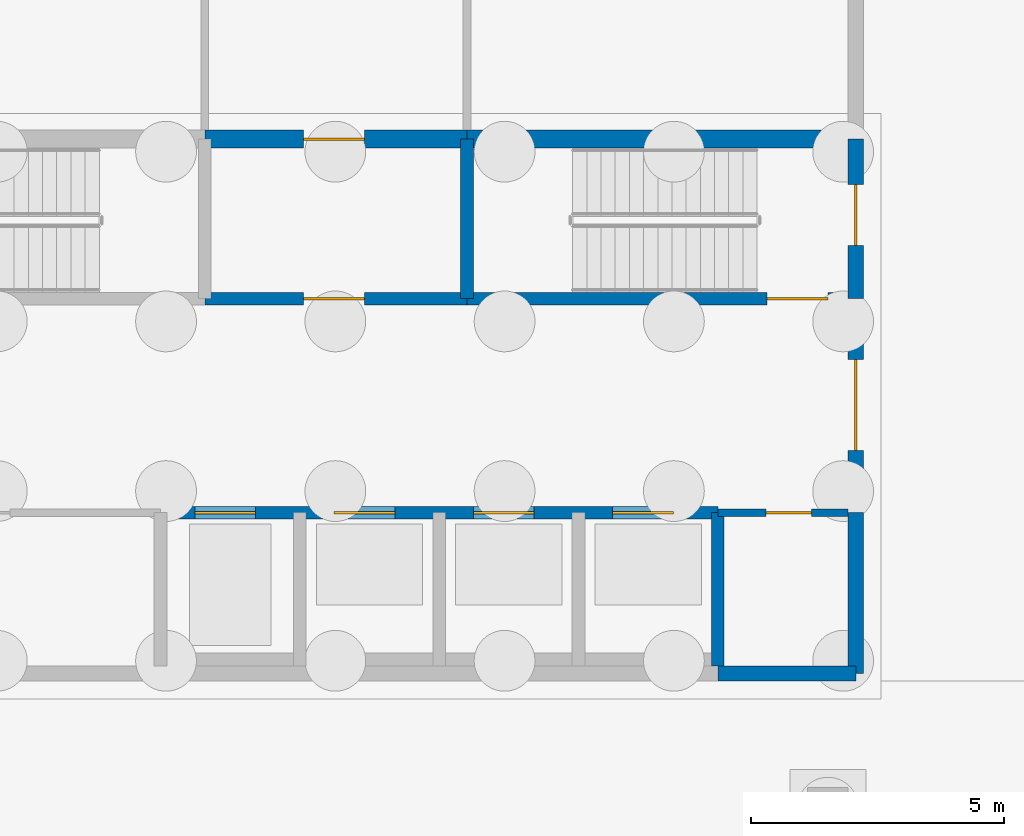
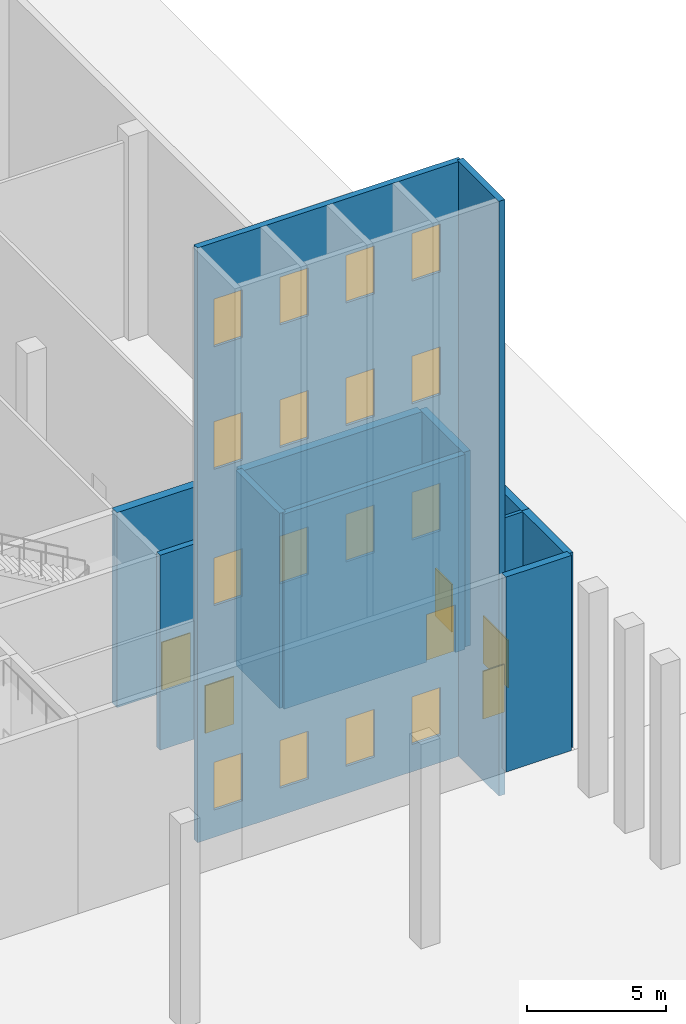
"""IFC4 building model written with IfcOpenShell, lengths in metres."""

from ifc_helpers import new_model, si_unit, direction, frame, frame_2d, origin, place, context, subcontext, project, spatial, rectangle, extrude, material, layer, layer_set, type_object, element, fill, save


model = new_model("IFC4")

# Units and contexts
model_context = context("Model", 3, precision=1e-05, world=origin(), true_north=direction((0.0, 1.0)))
body_context = subcontext(model_context, "Body", "Model", "MODEL_VIEW")
ifc_project = project(units=[si_unit("LENGTHUNIT", "METRE"), si_unit("AREAUNIT", "SQUARE_METRE"), si_unit("VOLUMEUNIT", "CUBIC_METRE"), si_unit("PLANEANGLEUNIT", "RADIAN"), si_unit("MASSUNIT", "GRAM", prefix="KILO")], contexts=[model_context])

# Site, building, storey
site_placement = place(None, origin())
site = spatial("IfcSite", under=ifc_project, at=site_placement, CompositionType="ELEMENT")
building_placement = place(site_placement, origin())
building = spatial("IfcBuilding", under=site, at=building_placement, Name="Jabali Bay Hotel Tower and Convention Centre", CompositionType="ELEMENT")
storey_1_placement = place(building_placement, origin())
storey_1 = spatial("IfcBuildingStorey", under=building, at=storey_1_placement, Name="L00", CompositionType="ELEMENT", Elevation=0.0)

# Wall, opening, door
ifc_material_1 = material(Name="Concrete C60", Category="concrete")
ifc_layer_1 = layer(ifc_material_1, 0.35009765625)
ifc_layer_set_1 = layer_set([ifc_layer_1], Name="Concrete C60")
wall_type_1 = type_object("IfcWallType", Name="CC Core Wall 350", PredefinedType="SHEAR", material=ifc_layer_set_1)
wall_1_placement = place(storey_1_placement, frame((238.39990234375, 60.0, 0.0), z_axis=(0.0, 0.0, 1.0), x_axis=(1.0, 0.0, 0.0)))
wall_1 = element("IfcWall", 1, at=wall_1_placement, inside=storey_1, type_object=wall_type_1, Name="CC east core wall", PredefinedType="SHEAR", context=body_context, shape_type="SweptSolid", body=[
    extrude(rectangle(XDim=5.175048828125, YDim=0.35009765625, at=frame_2d((2.58740234375, 0.0))), origin(), (0.0, 0.0, 1.0), 8.590087890625),
])
opening_1_placement = place(wall_1_placement, frame((1.949951171875, 0.0, 0.0)))
opening_1 = element("IfcOpeningElement", 2, at=opening_1_placement, cuts=wall_1, Name="Opening CC-D086", PredefinedType="OPENING", context=body_context, shape_type="SweptSolid", body=[
    extrude(rectangle(XDim=1.199951171875, YDim=2.10009765625, at=frame_2d((0.60009765625, 1.050048828125))), frame((0.0, 0.185546875, 0.0), z_axis=(0.0, -1.0, 0.0), x_axis=(1.0, 0.0, 0.0)), (0.0, 0.0, 1.0), 0.37109375),
])
ifc_material_2 = material(Name="Timber and steel door set", Category="steel")
door_type_1 = type_object("IfcDoorType", Name="CC Vestibule Door 1200x2100", OperationType="NOTDEFINED", PredefinedType="DOOR", material=ifc_material_2)
door_1_placement = place(opening_1_placement, origin())
door_1 = element("IfcDoor", 3, at=door_1_placement, inside=storey_1, type_object=door_type_1, Name="CC door CC-D086", OperationType="SINGLE_SWING_RIGHT", OverallHeight=2.10009765625, OverallWidth=1.199951171875, PredefinedType="DOOR", context=body_context, shape_type="SweptSolid", body=[
    extrude(rectangle(XDim=1.199951171875, YDim=2.10009765625, at=frame_2d((0.60009765625, 1.050048828125))), frame((0.0, 0.02490234375, 0.0), z_axis=(0.0, -1.0, 0.0), x_axis=(1.0, 0.0, 0.0)), (0.0, 0.0, 1.0), 0.050048828125),
])
fill(opening_1, door_1)

# Walls
wall_2_placement = place(storey_1_placement, frame((243.574951171875, 60.0, 0.0), z_axis=(0.0, 0.0, 1.0), x_axis=(1.0, 0.0, 0.0)))
element("IfcWall", 4, at=wall_2_placement, inside=storey_1, type_object=wall_type_1, Name="CC east core wall", PredefinedType="SHEAR", context=body_context, shape_type="SweptSolid", body=[
    extrude(rectangle(XDim=7.525146484375, YDim=0.35009765625, at=frame_2d((3.7626953125, 0.0))), origin(), (0.0, 0.0, 1.0), 8.590087890625),
])
ifc_material_3 = material(Name="Concrete C40", Category="concrete")
ifc_layer_2 = layer(ifc_material_3, 0.300048828125)
ifc_layer_set_2 = layer_set([ifc_layer_2], Name="Concrete C40")
wall_type_2 = type_object("IfcWallType", Name="CC External Wall 300", PredefinedType="SOLIDWALL", material=ifc_layer_set_2)
wall_3_placement = place(storey_1_placement, frame((248.52490234375, 49.449951171875, 0.0), z_axis=(0.0, 0.0, 1.0), x_axis=(1.0, 0.0, 0.0)))
element("IfcWall", 5, at=wall_3_placement, inside=storey_1, type_object=wall_type_2, Name="CC wall 222", PredefinedType="SOLIDWALL", context=body_context, shape_type="SweptSolid", body=[
    extrude(rectangle(XDim=2.72509765625, YDim=0.300048828125, at=frame_2d((1.362548828125, 0.0))), origin(), (0.0, 0.0, 1.0), 8.590087890625),
])
wall_4_placement = place(storey_1_placement, frame((251.25, 49.449951171875, 0.0), z_axis=(0.0, 0.0, 1.0), x_axis=(0.0, 1.0, 0.0)))
element("IfcWall", 6, at=wall_4_placement, inside=storey_1, type_object=wall_type_2, Name="CC wall 224", PredefinedType="SOLIDWALL", context=body_context, shape_type="SweptSolid", body=[
    extrude(rectangle(XDim=3.175048828125, YDim=0.300048828125, at=frame_2d((1.58740234375, 0.0))), origin(), (0.0, 0.0, 1.0), 8.590087890625),
])

# Wall, opening, door
wall_5_placement = place(storey_1_placement, frame((251.25, 56.85009765625, 0.0), z_axis=(0.0, 0.0, 1.0), x_axis=(0.0, -1.0, 0.0)))
wall_5 = element("IfcWall", 7, at=wall_5_placement, inside=storey_1, type_object=wall_type_2, Name="CC wall 266", PredefinedType="SOLIDWALL", context=body_context, shape_type="SweptSolid", body=[
    extrude(rectangle(XDim=4.22509765625, YDim=0.300048828125, at=frame_2d((2.112548828125, 0.0))), origin(), (0.0, 0.0, 1.0), 8.590087890625),
])
opening_2_placement = place(wall_5_placement, frame((1.199951171875, 0.0, 0.0)))
opening_2 = element("IfcOpeningElement", 8, at=opening_2_placement, cuts=wall_5, Name="Opening CC-D212", PredefinedType="OPENING", context=body_context, shape_type="SweptSolid", body=[
    extrude(rectangle(XDim=1.800048828125, YDim=2.10009765625, at=frame_2d((0.89990234375, 1.050048828125))), frame((0.0, 0.16064453125, 0.0), z_axis=(0.0, -1.0, 0.0), x_axis=(1.0, 0.0, 0.0)), (0.0, 0.0, 1.0), 0.321044921875),
])
door_type_2 = type_object("IfcDoorType", Name="CC Exit Double Door 1800x2100", OperationType="NOTDEFINED", PredefinedType="DOOR", material=ifc_material_2)
door_2_placement = place(opening_2_placement, origin())
door_2 = element("IfcDoor", 9, at=door_2_placement, inside=storey_1, type_object=door_type_2, Name="CC door CC-D212", OperationType="DOUBLE_DOOR_SINGLE_SWING", OverallHeight=2.10009765625, OverallWidth=1.800048828125, PredefinedType="DOOR", context=body_context, shape_type="SweptSolid", body=[
    extrude(rectangle(XDim=1.800048828125, YDim=2.10009765625, at=frame_2d((0.89990234375, 1.050048828125))), frame((0.0, 0.02490234375, 0.0), z_axis=(0.0, -1.0, 0.0), x_axis=(1.0, 0.0, 0.0)), (0.0, 0.0, 1.0), 0.050048828125),
])
fill(opening_2, door_2)

wall_6_placement = place(storey_1_placement, frame((251.25, 60.0, 0.0), z_axis=(0.0, 0.0, 1.0), x_axis=(0.0, -1.0, 0.0)))
wall_6 = element("IfcWall", 10, at=wall_6_placement, inside=storey_1, type_object=wall_type_2, Name="CC wall 267", PredefinedType="SOLIDWALL", context=body_context, shape_type="SweptSolid", body=[
    extrude(rectangle(XDim=3.14990234375, YDim=0.300048828125, at=frame_2d((1.574951171875, 0.0))), origin(), (0.0, 0.0, 1.0), 8.590087890625),
])
opening_3_placement = place(wall_6_placement, frame((0.89990234375, 0.0, 0.0)))
opening_3 = element("IfcOpeningElement", 11, at=opening_3_placement, cuts=wall_6, Name="Opening CC-D211", PredefinedType="OPENING", context=body_context, shape_type="SweptSolid", body=[
    extrude(rectangle(XDim=1.199951171875, YDim=2.10009765625, at=frame_2d((0.60009765625, 1.050048828125))), frame((0.0, 0.16064453125, 0.0), z_axis=(0.0, -1.0, 0.0), x_axis=(1.0, 0.0, 0.0)), (0.0, 0.0, 1.0), 0.321044921875),
])
door_type_3 = type_object("IfcDoorType", Name="CC Stair Door 1200x2100", OperationType="NOTDEFINED", PredefinedType="DOOR", material=ifc_material_2)
door_3_placement = place(opening_3_placement, origin())
door_3 = element("IfcDoor", 12, at=door_3_placement, inside=storey_1, type_object=door_type_3, Name="CC door CC-D211", OperationType="SINGLE_SWING_LEFT", OverallHeight=2.10009765625, OverallWidth=1.199951171875, PredefinedType="DOOR", context=body_context, shape_type="SweptSolid", body=[
    extrude(rectangle(XDim=1.199951171875, YDim=2.10009765625, at=frame_2d((0.60009765625, 1.050048828125))), frame((0.0, 0.02490234375, 0.0), z_axis=(0.0, -1.0, 0.0), x_axis=(1.0, 0.0, 0.0)), (0.0, 0.0, 1.0), 0.050048828125),
])
fill(opening_3, door_3)

ifc_material_4 = material(Name="Blockwork M10", Category="masonry")
ifc_layer_3 = layer(ifc_material_4, 0.14990234375)
ifc_layer_set_3 = layer_set([ifc_layer_3], Name="Blockwork M10")
wall_type_3 = type_object("IfcWallType", Name="CC Partition 150", PredefinedType="PARTITIONING", material=ifc_layer_set_3)
wall_7_placement = place(storey_1_placement, frame((251.10009765625, 52.625, 0.0), z_axis=(0.0, 0.0, 1.0), x_axis=(-1.0, 0.0, 0.0)))
wall_7 = element("IfcWall", 13, at=wall_7_placement, inside=storey_1, type_object=wall_type_3, Name="CC wall 223", PredefinedType="PARTITIONING", context=body_context, shape_type="SweptSolid", body=[
    extrude(rectangle(XDim=2.5751953125, YDim=0.14990234375, at=frame_2d((1.28759765625, 0.0))), origin(), (0.0, 0.0, 1.0), 8.590087890625),
])
opening_4_placement = place(wall_7_placement, frame((0.72509765625, 0.0, 0.0)))
opening_4 = element("IfcOpeningElement", 14, at=opening_4_placement, cuts=wall_7, Name="Opening CC-D182", PredefinedType="OPENING", context=body_context, shape_type="SweptSolid", body=[
    extrude(rectangle(XDim=0.89990234375, YDim=2.10009765625, at=frame_2d((0.449951171875, 1.050048828125))), frame((0.0, 0.08544921875, 0.0), z_axis=(0.0, -1.0, 0.0), x_axis=(1.0, 0.0, 0.0)), (0.0, 0.0, 1.0), 0.1708984375),
])
door_type_4 = type_object("IfcDoorType", Name="CC Riser Door 900x2100", OperationType="NOTDEFINED", PredefinedType="DOOR", material=ifc_material_2)
door_4_placement = place(opening_4_placement, origin())
door_4 = element("IfcDoor", 15, at=door_4_placement, inside=storey_1, type_object=door_type_4, Name="CC door CC-D182", OperationType="SINGLE_SWING_RIGHT", OverallHeight=2.10009765625, OverallWidth=0.89990234375, PredefinedType="DOOR", context=body_context, shape_type="SweptSolid", body=[
    extrude(rectangle(XDim=0.89990234375, YDim=2.10009765625, at=frame_2d((0.449951171875, 1.050048828125))), frame((0.0, 0.02490234375, 0.0), z_axis=(0.0, -1.0, 0.0), x_axis=(1.0, 0.0, 0.0)), (0.0, 0.0, 1.0), 0.050048828125),
])
fill(opening_4, door_4)

ifc_layer_4 = layer(ifc_material_3, 0.25)
ifc_layer_set_4 = layer_set([ifc_layer_4], Name="Concrete C40")
wall_type_4 = type_object("IfcWallType", Name="CC Shaft Wall 250", PredefinedType="SHEAR", material=ifc_layer_set_4)
wall_8_placement = place(storey_1_placement, frame((243.574951171875, 56.85009765625, 0.0), z_axis=(0.0, 0.0, 1.0), x_axis=(-1.0, 0.0, 0.0)))
wall_8 = element("IfcWall", 16, at=wall_8_placement, inside=storey_1, type_object=wall_type_4, Name="CC east core wall", PredefinedType="SHEAR", context=body_context, shape_type="SweptSolid", body=[
    extrude(rectangle(XDim=5.175048828125, YDim=0.25, at=frame_2d((2.58740234375, 0.0))), origin(), (0.0, 0.0, 1.0), 8.590087890625),
])
opening_5_placement = place(wall_8_placement, frame((2.02490234375, 0.0, 0.0)))
opening_5 = element("IfcOpeningElement", 17, at=opening_5_placement, cuts=wall_8, Name="Opening CC-D177", PredefinedType="OPENING", context=body_context, shape_type="SweptSolid", body=[
    extrude(rectangle(XDim=1.199951171875, YDim=2.10009765625, at=frame_2d((0.60009765625, 1.050048828125))), frame((0.0, 0.135498046875, 0.0), z_axis=(0.0, -1.0, 0.0), x_axis=(1.0, 0.0, 0.0)), (0.0, 0.0, 1.0), 0.27099609375),
])
door_5_placement = place(opening_5_placement, origin())
door_5 = element("IfcDoor", 18, at=door_5_placement, inside=storey_1, type_object=door_type_1, Name="CC door CC-D177", OperationType="SINGLE_SWING_LEFT", OverallHeight=2.10009765625, OverallWidth=1.199951171875, PredefinedType="DOOR", context=body_context, shape_type="SweptSolid", body=[
    extrude(rectangle(XDim=1.199951171875, YDim=2.10009765625, at=frame_2d((0.60009765625, 1.050048828125))), frame((0.0, 0.02490234375, 0.0), z_axis=(0.0, -1.0, 0.0), x_axis=(1.0, 0.0, 0.0)), (0.0, 0.0, 1.0), 0.050048828125),
])
fill(opening_5, door_5)

wall_9_placement = place(storey_1_placement, frame((251.10009765625, 56.85009765625, 0.0), z_axis=(0.0, 0.0, 1.0), x_axis=(-1.0, 0.0, 0.0)))
wall_9 = element("IfcWall", 19, at=wall_9_placement, inside=storey_1, type_object=wall_type_4, Name="CC east core wall", PredefinedType="SHEAR", context=body_context, shape_type="SweptSolid", body=[
    extrude(rectangle(XDim=7.525146484375, YDim=0.25, at=frame_2d((3.7626953125, 0.0))), origin(), (0.0, 0.0, 1.0), 8.590087890625),
])
opening_6_placement = place(wall_9_placement, frame((0.39990234375, 0.0, 0.0)))
opening_6 = element("IfcOpeningElement", 20, at=opening_6_placement, cuts=wall_9, Name="Opening CC-D175", PredefinedType="OPENING", context=body_context, shape_type="SweptSolid", body=[
    extrude(rectangle(XDim=1.199951171875, YDim=2.10009765625, at=frame_2d((0.60009765625, 1.050048828125))), frame((0.0, 0.135498046875, 0.0), z_axis=(0.0, -1.0, 0.0), x_axis=(1.0, 0.0, 0.0)), (0.0, 0.0, 1.0), 0.27099609375),
])
door_6_placement = place(opening_6_placement, origin())
door_6 = element("IfcDoor", 21, at=door_6_placement, inside=storey_1, type_object=door_type_3, Name="CC door CC-D175", OperationType="SINGLE_SWING_LEFT", OverallHeight=2.10009765625, OverallWidth=1.199951171875, PredefinedType="DOOR", context=body_context, shape_type="SweptSolid", body=[
    extrude(rectangle(XDim=1.199951171875, YDim=2.10009765625, at=frame_2d((0.60009765625, 1.050048828125))), frame((0.0, 0.02490234375, 0.0), z_axis=(0.0, -1.0, 0.0), x_axis=(1.0, 0.0, 0.0)), (0.0, 0.0, 1.0), 0.050048828125),
])
fill(opening_6, door_6)

# Walls
wall_10_placement = place(storey_1_placement, frame((243.574951171875, 56.85009765625, 0.0), z_axis=(0.0, 0.0, 1.0), x_axis=(0.0, 1.0, 0.0)))
element("IfcWall", 22, at=wall_10_placement, inside=storey_1, type_object=wall_type_4, Name="CC east core wall", PredefinedType="SHEAR", context=body_context, shape_type="SweptSolid", body=[
    extrude(rectangle(XDim=3.14990234375, YDim=0.25, at=frame_2d((1.574951171875, 0.0))), origin(), (0.0, 0.0, 1.0), 8.590087890625),
])
wall_11_placement = place(storey_1_placement, frame((248.52490234375, 49.60009765625, -1.199951171875), z_axis=(0.0, 0.0, 1.0), x_axis=(0.0, 1.0, 0.0)))
element("IfcWall", 23, at=wall_11_placement, inside=storey_1, type_object=wall_type_4, Name="CC east lift shaft wall", PredefinedType="SHEAR", context=body_context, shape_type="SweptSolid", body=[
    extrude(rectangle(XDim=3.02490234375, YDim=0.25, at=frame_2d((1.512451171875, 0.0))), origin(), (0.0, 0.0, 1.0), 26.18994140625),
])

# Wall, openings, doors
wall_12_placement = place(storey_1_placement, frame((237.52490234375, 52.625, -1.199951171875), z_axis=(0.0, 0.0, 1.0), x_axis=(1.0, 0.0, 0.0)))
wall_12 = element("IfcWall", 24, at=wall_12_placement, inside=storey_1, type_object=wall_type_4, Name="CC east lift shaft wall", PredefinedType="SHEAR", context=body_context, shape_type="SweptSolid", body=[
    extrude(rectangle(XDim=11.0, YDim=0.25, at=frame_2d((5.5, 0.0))), origin(), (0.0, 0.0, 1.0), 26.18994140625),
])
opening_7_placement = place(wall_12_placement, frame((8.925048828125, 0.0, 1.199951171875)))
opening_7 = element("IfcOpeningElement", 25, at=opening_7_placement, cuts=wall_12, Name="Opening CC-LD178", PredefinedType="OPENING", context=body_context, shape_type="SweptSolid", body=[
    extrude(rectangle(XDim=1.199951171875, YDim=2.10009765625, at=frame_2d((0.60009765625, 1.050048828125))), frame((0.0, 0.135498046875, 0.0), z_axis=(0.0, -1.0, 0.0), x_axis=(1.0, 0.0, 0.0)), (0.0, 0.0, 1.0), 0.27099609375),
])
opening_8_placement = place(wall_12_placement, frame((6.175048828125, 0.0, 1.199951171875)))
opening_8 = element("IfcOpeningElement", 26, at=opening_8_placement, cuts=wall_12, Name="Opening CC-LD179", PredefinedType="OPENING", context=body_context, shape_type="SweptSolid", body=[
    extrude(rectangle(XDim=1.199951171875, YDim=2.10009765625, at=frame_2d((0.60009765625, 1.050048828125))), frame((0.0, 0.135498046875, 0.0), z_axis=(0.0, -1.0, 0.0), x_axis=(1.0, 0.0, 0.0)), (0.0, 0.0, 1.0), 0.27099609375),
])
opening_9_placement = place(wall_12_placement, frame((3.425048828125, 0.0, 1.199951171875)))
opening_9 = element("IfcOpeningElement", 27, at=opening_9_placement, cuts=wall_12, Name="Opening CC-LD180", PredefinedType="OPENING", context=body_context, shape_type="SweptSolid", body=[
    extrude(rectangle(XDim=1.199951171875, YDim=2.10009765625, at=frame_2d((0.60009765625, 1.050048828125))), frame((0.0, 0.135498046875, 0.0), z_axis=(0.0, -1.0, 0.0), x_axis=(1.0, 0.0, 0.0)), (0.0, 0.0, 1.0), 0.27099609375),
])
opening_10_placement = place(wall_12_placement, frame((0.675048828125, 0.0, 1.199951171875)))
opening_10 = element("IfcOpeningElement", 28, at=opening_10_placement, cuts=wall_12, Name="Opening CC-LD181", PredefinedType="OPENING", context=body_context, shape_type="SweptSolid", body=[
    extrude(rectangle(XDim=1.199951171875, YDim=2.10009765625, at=frame_2d((0.60009765625, 1.050048828125))), frame((0.0, 0.135498046875, 0.0), z_axis=(0.0, -1.0, 0.0), x_axis=(1.0, 0.0, 0.0)), (0.0, 0.0, 1.0), 0.27099609375),
])
opening_11_placement = place(wall_12_placement, frame((8.925048828125, 0.0, 10.199951171875)))
opening_11 = element("IfcOpeningElement", 29, at=opening_11_placement, cuts=wall_12, Name="Opening CC-LD187", PredefinedType="OPENING", context=body_context, shape_type="SweptSolid", body=[
    extrude(rectangle(XDim=1.199951171875, YDim=2.10009765625, at=frame_2d((0.60009765625, 1.050048828125))), frame((0.0, 0.135498046875, 0.0), z_axis=(0.0, -1.0, 0.0), x_axis=(1.0, 0.0, 0.0)), (0.0, 0.0, 1.0), 0.27099609375),
])
opening_12_placement = place(wall_12_placement, frame((6.175048828125, 0.0, 10.199951171875)))
opening_12 = element("IfcOpeningElement", 30, at=opening_12_placement, cuts=wall_12, Name="Opening CC-LD188", PredefinedType="OPENING", context=body_context, shape_type="SweptSolid", body=[
    extrude(rectangle(XDim=1.199951171875, YDim=2.10009765625, at=frame_2d((0.60009765625, 1.050048828125))), frame((0.0, 0.135498046875, 0.0), z_axis=(0.0, -1.0, 0.0), x_axis=(1.0, 0.0, 0.0)), (0.0, 0.0, 1.0), 0.27099609375),
])
opening_13_placement = place(wall_12_placement, frame((3.425048828125, 0.0, 10.199951171875)))
opening_13 = element("IfcOpeningElement", 31, at=opening_13_placement, cuts=wall_12, Name="Opening CC-LD189", PredefinedType="OPENING", context=body_context, shape_type="SweptSolid", body=[
    extrude(rectangle(XDim=1.199951171875, YDim=2.10009765625, at=frame_2d((0.60009765625, 1.050048828125))), frame((0.0, 0.135498046875, 0.0), z_axis=(0.0, -1.0, 0.0), x_axis=(1.0, 0.0, 0.0)), (0.0, 0.0, 1.0), 0.27099609375),
])
opening_14_placement = place(wall_12_placement, frame((0.675048828125, 0.0, 10.199951171875)))
opening_14 = element("IfcOpeningElement", 32, at=opening_14_placement, cuts=wall_12, Name="Opening CC-LD190", PredefinedType="OPENING", context=body_context, shape_type="SweptSolid", body=[
    extrude(rectangle(XDim=1.199951171875, YDim=2.10009765625, at=frame_2d((0.60009765625, 1.050048828125))), frame((0.0, 0.135498046875, 0.0), z_axis=(0.0, -1.0, 0.0), x_axis=(1.0, 0.0, 0.0)), (0.0, 0.0, 1.0), 0.27099609375),
])
opening_15_placement = place(wall_12_placement, frame((8.925048828125, 0.0, 16.199951171875)))
opening_15 = element("IfcOpeningElement", 33, at=opening_15_placement, cuts=wall_12, Name="Opening CC-LD196", PredefinedType="OPENING", context=body_context, shape_type="SweptSolid", body=[
    extrude(rectangle(XDim=1.199951171875, YDim=2.10009765625, at=frame_2d((0.60009765625, 1.050048828125))), frame((0.0, 0.135498046875, 0.0), z_axis=(0.0, -1.0, 0.0), x_axis=(1.0, 0.0, 0.0)), (0.0, 0.0, 1.0), 0.27099609375),
])
opening_16_placement = place(wall_12_placement, frame((6.175048828125, 0.0, 16.199951171875)))
opening_16 = element("IfcOpeningElement", 34, at=opening_16_placement, cuts=wall_12, Name="Opening CC-LD197", PredefinedType="OPENING", context=body_context, shape_type="SweptSolid", body=[
    extrude(rectangle(XDim=1.199951171875, YDim=2.10009765625, at=frame_2d((0.60009765625, 1.050048828125))), frame((0.0, 0.135498046875, 0.0), z_axis=(0.0, -1.0, 0.0), x_axis=(1.0, 0.0, 0.0)), (0.0, 0.0, 1.0), 0.27099609375),
])
opening_17_placement = place(wall_12_placement, frame((3.425048828125, 0.0, 16.199951171875)))
opening_17 = element("IfcOpeningElement", 35, at=opening_17_placement, cuts=wall_12, Name="Opening CC-LD198", PredefinedType="OPENING", context=body_context, shape_type="SweptSolid", body=[
    extrude(rectangle(XDim=1.199951171875, YDim=2.10009765625, at=frame_2d((0.60009765625, 1.050048828125))), frame((0.0, 0.135498046875, 0.0), z_axis=(0.0, -1.0, 0.0), x_axis=(1.0, 0.0, 0.0)), (0.0, 0.0, 1.0), 0.27099609375),
])
opening_18_placement = place(wall_12_placement, frame((0.675048828125, 0.0, 16.199951171875)))
opening_18 = element("IfcOpeningElement", 36, at=opening_18_placement, cuts=wall_12, Name="Opening CC-LD199", PredefinedType="OPENING", context=body_context, shape_type="SweptSolid", body=[
    extrude(rectangle(XDim=1.199951171875, YDim=2.10009765625, at=frame_2d((0.60009765625, 1.050048828125))), frame((0.0, 0.135498046875, 0.0), z_axis=(0.0, -1.0, 0.0), x_axis=(1.0, 0.0, 0.0)), (0.0, 0.0, 1.0), 0.27099609375),
])
opening_19_placement = place(wall_12_placement, frame((8.925048828125, 0.0, 21.60009765625)))
opening_19 = element("IfcOpeningElement", 37, at=opening_19_placement, cuts=wall_12, Name="Opening CC-LD205", PredefinedType="OPENING", context=body_context, shape_type="SweptSolid", body=[
    extrude(rectangle(XDim=1.199951171875, YDim=2.10009765625, at=frame_2d((0.60009765625, 1.050048828125))), frame((0.0, 0.135498046875, 0.0), z_axis=(0.0, -1.0, 0.0), x_axis=(1.0, 0.0, 0.0)), (0.0, 0.0, 1.0), 0.27099609375),
])
opening_20_placement = place(wall_12_placement, frame((6.175048828125, 0.0, 21.60009765625)))
opening_20 = element("IfcOpeningElement", 38, at=opening_20_placement, cuts=wall_12, Name="Opening CC-LD206", PredefinedType="OPENING", context=body_context, shape_type="SweptSolid", body=[
    extrude(rectangle(XDim=1.199951171875, YDim=2.10009765625, at=frame_2d((0.60009765625, 1.050048828125))), frame((0.0, 0.135498046875, 0.0), z_axis=(0.0, -1.0, 0.0), x_axis=(1.0, 0.0, 0.0)), (0.0, 0.0, 1.0), 0.27099609375),
])
opening_21_placement = place(wall_12_placement, frame((3.425048828125, 0.0, 21.60009765625)))
opening_21 = element("IfcOpeningElement", 39, at=opening_21_placement, cuts=wall_12, Name="Opening CC-LD207", PredefinedType="OPENING", context=body_context, shape_type="SweptSolid", body=[
    extrude(rectangle(XDim=1.199951171875, YDim=2.10009765625, at=frame_2d((0.60009765625, 1.050048828125))), frame((0.0, 0.135498046875, 0.0), z_axis=(0.0, -1.0, 0.0), x_axis=(1.0, 0.0, 0.0)), (0.0, 0.0, 1.0), 0.27099609375),
])
opening_22_placement = place(wall_12_placement, frame((0.675048828125, 0.0, 21.60009765625)))
opening_22 = element("IfcOpeningElement", 40, at=opening_22_placement, cuts=wall_12, Name="Opening CC-LD208", PredefinedType="OPENING", context=body_context, shape_type="SweptSolid", body=[
    extrude(rectangle(XDim=1.199951171875, YDim=2.10009765625, at=frame_2d((0.60009765625, 1.050048828125))), frame((0.0, 0.135498046875, 0.0), z_axis=(0.0, -1.0, 0.0), x_axis=(1.0, 0.0, 0.0)), (0.0, 0.0, 1.0), 0.27099609375),
])
ifc_material_5 = material(Name="Stainless steel door set", Category="steel")
door_type_5 = type_object("IfcDoorType", Name="CC Lift Landing Door 1200x2100", OperationType="SLIDING_TO_LEFT", PredefinedType="DOOR", material=ifc_material_5)
door_7_placement = place(opening_7_placement, origin())
door_7 = element("IfcDoor", 41, at=door_7_placement, inside=storey_1, type_object=door_type_5, Name="CC lift landing door CC-LD178", OperationType="SLIDING_TO_RIGHT", OverallHeight=2.10009765625, OverallWidth=1.199951171875, PredefinedType="DOOR", context=body_context, shape_type="SweptSolid", body=[
    extrude(rectangle(XDim=1.199951171875, YDim=2.10009765625, at=frame_2d((0.60009765625, 1.050048828125))), frame((0.0, 0.02490234375, 0.0), z_axis=(0.0, -1.0, 0.0), x_axis=(1.0, 0.0, 0.0)), (0.0, 0.0, 1.0), 0.050048828125),
])
fill(opening_7, door_7)
door_8_placement = place(opening_8_placement, origin())
door_8 = element("IfcDoor", 42, at=door_8_placement, inside=storey_1, type_object=door_type_5, Name="CC lift landing door CC-LD179", OperationType="SLIDING_TO_LEFT", OverallHeight=2.10009765625, OverallWidth=1.199951171875, PredefinedType="DOOR", context=body_context, shape_type="SweptSolid", body=[
    extrude(rectangle(XDim=1.199951171875, YDim=2.10009765625, at=frame_2d((0.60009765625, 1.050048828125))), frame((0.0, 0.02490234375, 0.0), z_axis=(0.0, -1.0, 0.0), x_axis=(1.0, 0.0, 0.0)), (0.0, 0.0, 1.0), 0.050048828125),
])
fill(opening_8, door_8)
door_9_placement = place(opening_9_placement, origin())
door_9 = element("IfcDoor", 43, at=door_9_placement, inside=storey_1, type_object=door_type_5, Name="CC lift landing door CC-LD180", OperationType="SLIDING_TO_RIGHT", OverallHeight=2.10009765625, OverallWidth=1.199951171875, PredefinedType="DOOR", context=body_context, shape_type="SweptSolid", body=[
    extrude(rectangle(XDim=1.199951171875, YDim=2.10009765625, at=frame_2d((0.60009765625, 1.050048828125))), frame((0.0, 0.02490234375, 0.0), z_axis=(0.0, -1.0, 0.0), x_axis=(1.0, 0.0, 0.0)), (0.0, 0.0, 1.0), 0.050048828125),
])
fill(opening_9, door_9)
door_10_placement = place(opening_10_placement, origin())
door_10 = element("IfcDoor", 44, at=door_10_placement, inside=storey_1, type_object=door_type_5, Name="CC lift landing door CC-LD181", OperationType="SLIDING_TO_LEFT", OverallHeight=2.10009765625, OverallWidth=1.199951171875, PredefinedType="DOOR", context=body_context, shape_type="SweptSolid", body=[
    extrude(rectangle(XDim=1.199951171875, YDim=2.10009765625, at=frame_2d((0.60009765625, 1.050048828125))), frame((0.0, 0.02490234375, 0.0), z_axis=(0.0, -1.0, 0.0), x_axis=(1.0, 0.0, 0.0)), (0.0, 0.0, 1.0), 0.050048828125),
])
fill(opening_10, door_10)

# Storey
storey_2_placement = place(building_placement, frame((0.0, 0.0, 9.0)))
storey_2 = spatial("IfcBuildingStorey", under=building, at=storey_2_placement, Name="L01", CompositionType="ELEMENT", Elevation=9.0)

# Door
door_11_placement = place(opening_11_placement, origin())
door_11 = element("IfcDoor", 45, at=door_11_placement, inside=storey_2, type_object=door_type_5, Name="CC lift landing door CC-LD187", OperationType="SLIDING_TO_LEFT", OverallHeight=2.10009765625, OverallWidth=1.199951171875, PredefinedType="DOOR", context=body_context, shape_type="SweptSolid", body=[
    extrude(rectangle(XDim=1.199951171875, YDim=2.10009765625, at=frame_2d((0.60009765625, 1.050048828125))), frame((0.0, 0.02490234375, 0.0), z_axis=(0.0, -1.0, 0.0), x_axis=(1.0, 0.0, 0.0)), (0.0, 0.0, 1.0), 0.050048828125),
])

fill(opening_11, door_11)

door_12_placement = place(opening_12_placement, origin())
door_12 = element("IfcDoor", 46, at=door_12_placement, inside=storey_2, type_object=door_type_5, Name="CC lift landing door CC-LD188", OperationType="SLIDING_TO_RIGHT", OverallHeight=2.10009765625, OverallWidth=1.199951171875, PredefinedType="DOOR", context=body_context, shape_type="SweptSolid", body=[
    extrude(rectangle(XDim=1.199951171875, YDim=2.10009765625, at=frame_2d((0.60009765625, 1.050048828125))), frame((0.0, 0.02490234375, 0.0), z_axis=(0.0, -1.0, 0.0), x_axis=(1.0, 0.0, 0.0)), (0.0, 0.0, 1.0), 0.050048828125),
])

fill(opening_12, door_12)

door_13_placement = place(opening_13_placement, origin())
door_13 = element("IfcDoor", 47, at=door_13_placement, inside=storey_2, type_object=door_type_5, Name="CC lift landing door CC-LD189", OperationType="SLIDING_TO_LEFT", OverallHeight=2.10009765625, OverallWidth=1.199951171875, PredefinedType="DOOR", context=body_context, shape_type="SweptSolid", body=[
    extrude(rectangle(XDim=1.199951171875, YDim=2.10009765625, at=frame_2d((0.60009765625, 1.050048828125))), frame((0.0, 0.02490234375, 0.0), z_axis=(0.0, -1.0, 0.0), x_axis=(1.0, 0.0, 0.0)), (0.0, 0.0, 1.0), 0.050048828125),
])

fill(opening_13, door_13)

door_14_placement = place(opening_14_placement, origin())
door_14 = element("IfcDoor", 48, at=door_14_placement, inside=storey_2, type_object=door_type_5, Name="CC lift landing door CC-LD190", OperationType="SLIDING_TO_RIGHT", OverallHeight=2.10009765625, OverallWidth=1.199951171875, PredefinedType="DOOR", context=body_context, shape_type="SweptSolid", body=[
    extrude(rectangle(XDim=1.199951171875, YDim=2.10009765625, at=frame_2d((0.60009765625, 1.050048828125))), frame((0.0, 0.02490234375, 0.0), z_axis=(0.0, -1.0, 0.0), x_axis=(1.0, 0.0, 0.0)), (0.0, 0.0, 1.0), 0.050048828125),
])

fill(opening_14, door_14)

# Storey
storey_3_placement = place(building_placement, frame((0.0, 0.0, 15.0)))
storey_3 = spatial("IfcBuildingStorey", under=building, at=storey_3_placement, Name="L02", CompositionType="ELEMENT", Elevation=15.0)

# Door
door_15_placement = place(opening_15_placement, origin())
door_15 = element("IfcDoor", 49, at=door_15_placement, inside=storey_3, type_object=door_type_5, Name="CC lift landing door CC-LD196", OperationType="SLIDING_TO_RIGHT", OverallHeight=2.10009765625, OverallWidth=1.199951171875, PredefinedType="DOOR", context=body_context, shape_type="SweptSolid", body=[
    extrude(rectangle(XDim=1.199951171875, YDim=2.10009765625, at=frame_2d((0.60009765625, 1.050048828125))), frame((0.0, 0.02490234375, 0.0), z_axis=(0.0, -1.0, 0.0), x_axis=(1.0, 0.0, 0.0)), (0.0, 0.0, 1.0), 0.050048828125),
])

fill(opening_15, door_15)

door_16_placement = place(opening_16_placement, origin())
door_16 = element("IfcDoor", 50, at=door_16_placement, inside=storey_3, type_object=door_type_5, Name="CC lift landing door CC-LD197", OperationType="SLIDING_TO_LEFT", OverallHeight=2.10009765625, OverallWidth=1.199951171875, PredefinedType="DOOR", context=body_context, shape_type="SweptSolid", body=[
    extrude(rectangle(XDim=1.199951171875, YDim=2.10009765625, at=frame_2d((0.60009765625, 1.050048828125))), frame((0.0, 0.02490234375, 0.0), z_axis=(0.0, -1.0, 0.0), x_axis=(1.0, 0.0, 0.0)), (0.0, 0.0, 1.0), 0.050048828125),
])

fill(opening_16, door_16)

door_17_placement = place(opening_17_placement, origin())
door_17 = element("IfcDoor", 51, at=door_17_placement, inside=storey_3, type_object=door_type_5, Name="CC lift landing door CC-LD198", OperationType="SLIDING_TO_RIGHT", OverallHeight=2.10009765625, OverallWidth=1.199951171875, PredefinedType="DOOR", context=body_context, shape_type="SweptSolid", body=[
    extrude(rectangle(XDim=1.199951171875, YDim=2.10009765625, at=frame_2d((0.60009765625, 1.050048828125))), frame((0.0, 0.02490234375, 0.0), z_axis=(0.0, -1.0, 0.0), x_axis=(1.0, 0.0, 0.0)), (0.0, 0.0, 1.0), 0.050048828125),
])

fill(opening_17, door_17)

door_18_placement = place(opening_18_placement, origin())
door_18 = element("IfcDoor", 52, at=door_18_placement, inside=storey_3, type_object=door_type_5, Name="CC lift landing door CC-LD199", OperationType="SLIDING_TO_LEFT", OverallHeight=2.10009765625, OverallWidth=1.199951171875, PredefinedType="DOOR", context=body_context, shape_type="SweptSolid", body=[
    extrude(rectangle(XDim=1.199951171875, YDim=2.10009765625, at=frame_2d((0.60009765625, 1.050048828125))), frame((0.0, 0.02490234375, 0.0), z_axis=(0.0, -1.0, 0.0), x_axis=(1.0, 0.0, 0.0)), (0.0, 0.0, 1.0), 0.050048828125),
])

fill(opening_18, door_18)

# Storey
storey_4_placement = place(building_placement, frame((0.0, 0.0, 20.39990234375)))
storey_4 = spatial("IfcBuildingStorey", under=building, at=storey_4_placement, Name="L03", CompositionType="ELEMENT", Elevation=20.39990234375)

# Door
door_19_placement = place(opening_19_placement, origin())
door_19 = element("IfcDoor", 53, at=door_19_placement, inside=storey_4, type_object=door_type_5, Name="CC lift landing door CC-LD205", OperationType="SLIDING_TO_LEFT", OverallHeight=2.10009765625, OverallWidth=1.199951171875, PredefinedType="DOOR", context=body_context, shape_type="SweptSolid", body=[
    extrude(rectangle(XDim=1.199951171875, YDim=2.10009765625, at=frame_2d((0.60009765625, 1.050048828125))), frame((0.0, 0.02490234375, 0.0), z_axis=(0.0, -1.0, 0.0), x_axis=(1.0, 0.0, 0.0)), (0.0, 0.0, 1.0), 0.050048828125),
])

fill(opening_19, door_19)

door_20_placement = place(opening_20_placement, origin())
door_20 = element("IfcDoor", 54, at=door_20_placement, inside=storey_4, type_object=door_type_5, Name="CC lift landing door CC-LD206", OperationType="SLIDING_TO_RIGHT", OverallHeight=2.10009765625, OverallWidth=1.199951171875, PredefinedType="DOOR", context=body_context, shape_type="SweptSolid", body=[
    extrude(rectangle(XDim=1.199951171875, YDim=2.10009765625, at=frame_2d((0.60009765625, 1.050048828125))), frame((0.0, 0.02490234375, 0.0), z_axis=(0.0, -1.0, 0.0), x_axis=(1.0, 0.0, 0.0)), (0.0, 0.0, 1.0), 0.050048828125),
])

fill(opening_20, door_20)

door_21_placement = place(opening_21_placement, origin())
door_21 = element("IfcDoor", 55, at=door_21_placement, inside=storey_4, type_object=door_type_5, Name="CC lift landing door CC-LD207", OperationType="SLIDING_TO_LEFT", OverallHeight=2.10009765625, OverallWidth=1.199951171875, PredefinedType="DOOR", context=body_context, shape_type="SweptSolid", body=[
    extrude(rectangle(XDim=1.199951171875, YDim=2.10009765625, at=frame_2d((0.60009765625, 1.050048828125))), frame((0.0, 0.02490234375, 0.0), z_axis=(0.0, -1.0, 0.0), x_axis=(1.0, 0.0, 0.0)), (0.0, 0.0, 1.0), 0.050048828125),
])

fill(opening_21, door_21)

door_22_placement = place(opening_22_placement, origin())
door_22 = element("IfcDoor", 56, at=door_22_placement, inside=storey_4, type_object=door_type_5, Name="CC lift landing door CC-LD208", OperationType="SLIDING_TO_RIGHT", OverallHeight=2.10009765625, OverallWidth=1.199951171875, PredefinedType="DOOR", context=body_context, shape_type="SweptSolid", body=[
    extrude(rectangle(XDim=1.199951171875, YDim=2.10009765625, at=frame_2d((0.60009765625, 1.050048828125))), frame((0.0, 0.02490234375, 0.0), z_axis=(0.0, -1.0, 0.0), x_axis=(1.0, 0.0, 0.0)), (0.0, 0.0, 1.0), 0.050048828125),
])

fill(opening_22, door_22)

save(model, "model.ifc")
